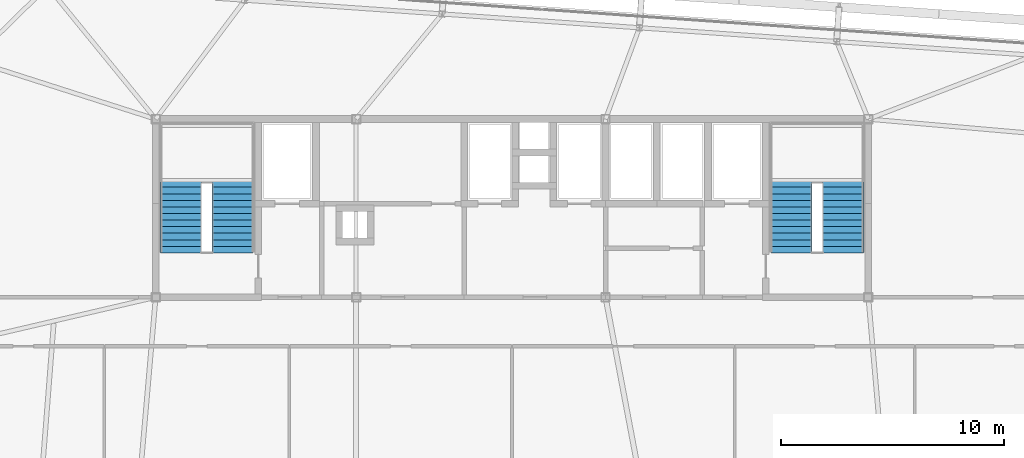
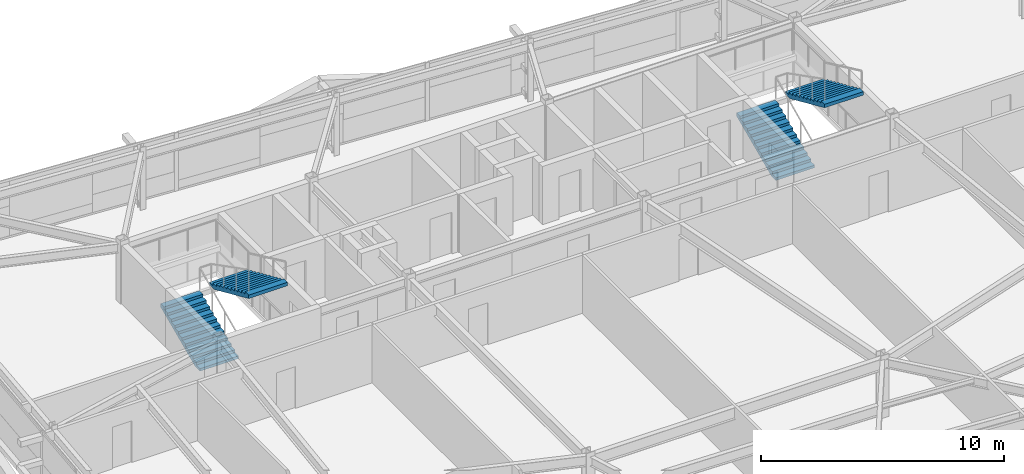
# One storey, part 37 of 39: 4 stair flights, 2 elements without a shape of their own.
"""IFC4 building model written with IfcOpenShell, lengths in metres."""

from ifc_helpers import new_model, si_unit, direction, frame, origin, place, context, subcontext, project, spatial, polyline, outline, extrude, material, type_object, element, aggregate, save


model = new_model("IFC4")

# Units and contexts
model_context = context("Model", 3, precision=1e-05, world=origin(), true_north=direction((0.0, 1.0)))
body_context = subcontext(model_context, "Body", "Model", "MODEL_VIEW")
ifc_project = project(units=[si_unit("LENGTHUNIT", "METRE"), si_unit("AREAUNIT", "SQUARE_METRE"), si_unit("VOLUMEUNIT", "CUBIC_METRE"), si_unit("PLANEANGLEUNIT", "RADIAN"), si_unit("MASSUNIT", "GRAM", prefix="KILO")], contexts=[model_context])

# Site, building, storey
site_placement = place(None, origin())
site = spatial("IfcSite", under=ifc_project, at=site_placement, CompositionType="ELEMENT")
building_placement = place(site_placement, origin())
building = spatial("IfcBuilding", under=site, at=building_placement, Name="Taldren Reach Tower", CompositionType="ELEMENT")
storey_placement = place(building_placement, frame((0.0, 0.0, 148.75)))
storey = spatial("IfcBuildingStorey", under=building, at=storey_placement, Name="L45", CompositionType="ELEMENT", Elevation=148.75)

# Stair, stair flights
ifc_material = material(Name="Concrete S50 (50 MPa)", Category="concrete")
stair_type = type_object("IfcStairType", Name="ST-HT-315", PredefinedType="HALF_TURN_STAIR", material=ifc_material)
stair_1_placement = place(storey_placement, origin())
stair_1 = element("IfcStair", 1, at=stair_1_placement, inside=storey, type_object=stair_type, Name="Fire-isolated exit stair ST1 L45", PredefinedType="HALF_TURN_STAIR")
stair_flight_type = type_object("IfcStairFlightType", Name="SF-STR-315", PredefinedType="STRAIGHT", material=ifc_material)
stair_flight_1_placement = place(storey_placement, frame((20.139892578125, 25.989990234375, 0.0), z_axis=(0.0, 0.0, 1.0), x_axis=(0.0, 1.0, 0.0)))
stair_flight_1 = element("IfcStairFlight", 2, at=stair_flight_1_placement, type_object=stair_flight_type, Name="ST1 flight 1", NumberOfRisers=12, NumberOfTreads=11, PredefinedType="STRAIGHT", RiserHeight=0.13125, TreadLength=0.295, context=body_context, shape_type="SweptSolid", body=[
    extrude(outline(polyline([(0.0, 0.0), (0.0, 0.13134765625), (0.294921875, 0.13134765625), (0.294921875, 0.262451171875), (0.590087890625, 0.262451171875), (0.590087890625, 0.393798828125), (0.885009765625, 0.393798828125), (0.885009765625, 0.52490234375), (1.179931640625, 0.52490234375), (1.179931640625, 0.65625), (1.47509765625, 0.65625), (1.47509765625, 0.78759765625), (1.77001953125, 0.78759765625), (1.77001953125, 0.918701171875), (2.06494140625, 0.918701171875), (2.06494140625, 1.050048828125), (2.360107421875, 1.050048828125), (2.360107421875, 1.18115234375), (2.655029296875, 1.18115234375), (2.655029296875, 1.3125), (2.949951171875, 1.3125), (2.949951171875, 1.44384765625), (3.2451171875, 1.44384765625), (3.2451171875, 1.574951171875), (3.2451171875, 1.268798828125), (0.393310546875, 0.0), (0.0, 0.0)])), frame((0.0, 0.919921875, 0.0), z_axis=(0.0, -1.0, 0.0), x_axis=(1.0, 0.0, 0.0)), (0.0, 0.0, 1.0), 1.840087890625),
])
stair_flight_2_placement = place(storey_placement, frame((22.4599609375, 29.235107421875, 1.574951171875), z_axis=(0.0, 0.0, 1.0), x_axis=(0.0, -1.0, 0.0)))
stair_flight_2 = element("IfcStairFlight", 3, at=stair_flight_2_placement, type_object=stair_flight_type, Name="ST1 flight 2", NumberOfRisers=12, NumberOfTreads=11, PredefinedType="STRAIGHT", RiserHeight=0.13125, TreadLength=0.295, context=body_context, shape_type="SweptSolid", body=[
    extrude(outline(polyline([(0.0, 0.0), (0.0, 0.13134765625), (0.294921875, 0.13134765625), (0.294921875, 0.262451171875), (0.590087890625, 0.262451171875), (0.590087890625, 0.393798828125), (0.885009765625, 0.393798828125), (0.885009765625, 0.52490234375), (1.179931640625, 0.52490234375), (1.179931640625, 0.65625), (1.47509765625, 0.65625), (1.47509765625, 0.78759765625), (1.77001953125, 0.78759765625), (1.77001953125, 0.918701171875), (2.06494140625, 0.918701171875), (2.06494140625, 1.050048828125), (2.360107421875, 1.050048828125), (2.360107421875, 1.18115234375), (2.655029296875, 1.18115234375), (2.655029296875, 1.3125), (2.949951171875, 1.3125), (2.949951171875, 1.44384765625), (3.2451171875, 1.44384765625), (3.2451171875, 1.574951171875), (3.2451171875, 1.268798828125), (0.393310546875, 0.0), (0.0, 0.0)])), frame((0.0, 0.919921875, 0.0), z_axis=(0.0, -1.0, 0.0), x_axis=(1.0, 0.0, 0.0)), (0.0, 0.0, 1.0), 1.840087890625),
])
aggregate(stair_1, [stair_flight_1, stair_flight_2])

stair_2_placement = place(storey_placement, origin())
stair_2 = element("IfcStair", 4, at=stair_2_placement, inside=storey, type_object=stair_type, Name="Fire-isolated exit stair ST2 L45", PredefinedType="HALF_TURN_STAIR")
stair_flight_3_placement = place(storey_placement, frame((47.5400390625, 25.989990234375, 0.0), z_axis=(0.0, 0.0, 1.0), x_axis=(0.0, 1.0, 0.0)))
stair_flight_3 = element("IfcStairFlight", 5, at=stair_flight_3_placement, type_object=stair_flight_type, Name="ST2 flight 1", NumberOfRisers=12, NumberOfTreads=11, PredefinedType="STRAIGHT", RiserHeight=0.13125, TreadLength=0.295, context=body_context, shape_type="SweptSolid", body=[
    extrude(outline(polyline([(0.0, 0.0), (0.0, 0.13134765625), (0.294921875, 0.13134765625), (0.294921875, 0.262451171875), (0.590087890625, 0.262451171875), (0.590087890625, 0.393798828125), (0.885009765625, 0.393798828125), (0.885009765625, 0.52490234375), (1.179931640625, 0.52490234375), (1.179931640625, 0.65625), (1.47509765625, 0.65625), (1.47509765625, 0.78759765625), (1.77001953125, 0.78759765625), (1.77001953125, 0.918701171875), (2.06494140625, 0.918701171875), (2.06494140625, 1.050048828125), (2.360107421875, 1.050048828125), (2.360107421875, 1.18115234375), (2.655029296875, 1.18115234375), (2.655029296875, 1.3125), (2.949951171875, 1.3125), (2.949951171875, 1.44384765625), (3.2451171875, 1.44384765625), (3.2451171875, 1.574951171875), (3.2451171875, 1.268798828125), (0.393310546875, 0.0), (0.0, 0.0)])), frame((0.0, 0.919921875, 0.0), z_axis=(0.0, -1.0, 0.0), x_axis=(1.0, 0.0, 0.0)), (0.0, 0.0, 1.0), 1.840087890625),
])
stair_flight_4_placement = place(storey_placement, frame((49.860107421875, 29.235107421875, 1.574951171875), z_axis=(0.0, 0.0, 1.0), x_axis=(0.0, -1.0, 0.0)))
stair_flight_4 = element("IfcStairFlight", 6, at=stair_flight_4_placement, type_object=stair_flight_type, Name="ST2 flight 2", NumberOfRisers=12, NumberOfTreads=11, PredefinedType="STRAIGHT", RiserHeight=0.13125, TreadLength=0.295, context=body_context, shape_type="SweptSolid", body=[
    extrude(outline(polyline([(0.0, 0.0), (0.0, 0.13134765625), (0.294921875, 0.13134765625), (0.294921875, 0.262451171875), (0.590087890625, 0.262451171875), (0.590087890625, 0.393798828125), (0.885009765625, 0.393798828125), (0.885009765625, 0.52490234375), (1.179931640625, 0.52490234375), (1.179931640625, 0.65625), (1.47509765625, 0.65625), (1.47509765625, 0.78759765625), (1.77001953125, 0.78759765625), (1.77001953125, 0.918701171875), (2.06494140625, 0.918701171875), (2.06494140625, 1.050048828125), (2.360107421875, 1.050048828125), (2.360107421875, 1.18115234375), (2.655029296875, 1.18115234375), (2.655029296875, 1.3125), (2.949951171875, 1.3125), (2.949951171875, 1.44384765625), (3.2451171875, 1.44384765625), (3.2451171875, 1.574951171875), (3.2451171875, 1.268798828125), (0.393310546875, 0.0), (0.0, 0.0)])), frame((0.0, 0.919921875, 0.0), z_axis=(0.0, -1.0, 0.0), x_axis=(1.0, 0.0, 0.0)), (0.0, 0.0, 1.0), 1.840087890625),
])
aggregate(stair_2, [stair_flight_3, stair_flight_4])

save(model, "model.ifc")
